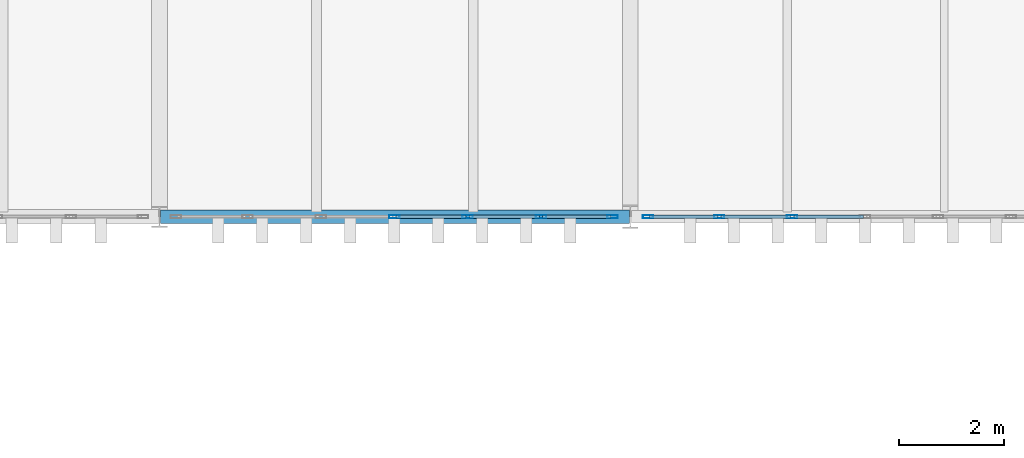
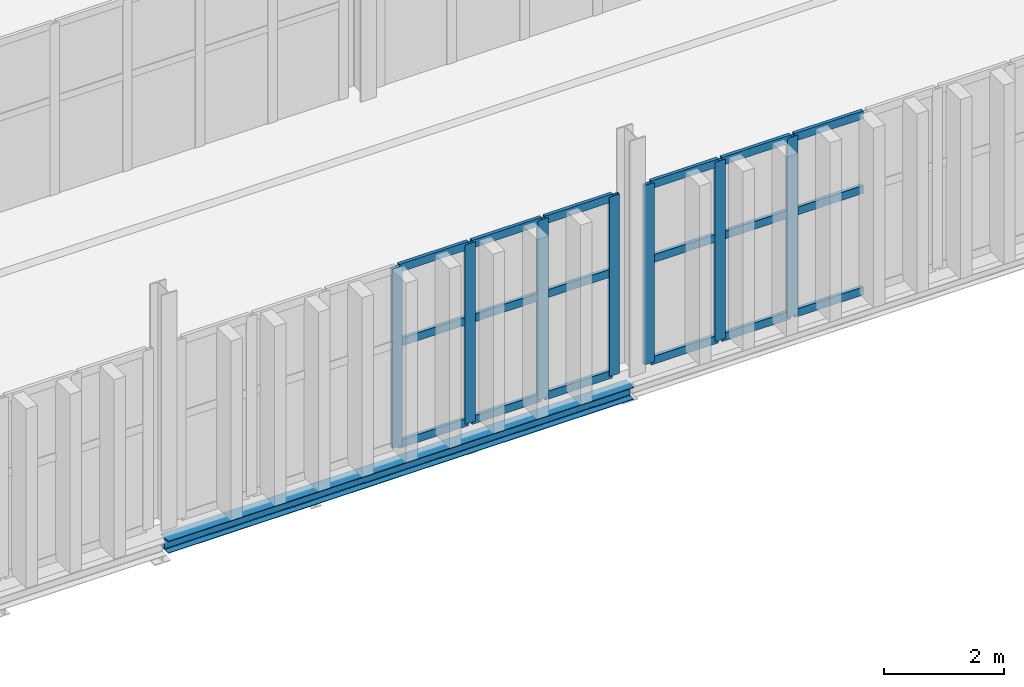
# One storey, part 29 of 196: 25 members, 1 beam, 2 elements without a shape of their own.
"""IFC4 building model written with IfcOpenShell, lengths in metres."""

from ifc_helpers import new_model, si_unit, direction, frame, origin, origin_2d, place, context, subcontext, project, spatial, hollow_rectangle, i_section, extrude, material, layer, layer_set, material_profile, profile_set, type_object, element, aggregate, save


model = new_model("IFC4")

# Units and contexts
model_context = context("Model", 3, precision=1e-05, world=origin(), true_north=direction((0.0, 1.0)))
body_context = subcontext(model_context, "Body", "Model", "MODEL_VIEW")
ifc_project = project(units=[si_unit("LENGTHUNIT", "METRE"), si_unit("AREAUNIT", "SQUARE_METRE"), si_unit("VOLUMEUNIT", "CUBIC_METRE"), si_unit("PLANEANGLEUNIT", "RADIAN"), si_unit("MASSUNIT", "GRAM", prefix="KILO")], contexts=[model_context])

# Site, building, storey
site_placement = place(None, origin())
site = spatial("IfcSite", under=ifc_project, at=site_placement, CompositionType="ELEMENT")
building_placement = place(site_placement, origin())
building = spatial("IfcBuilding", under=site, at=building_placement, Name="Barlavento Convention Centre", CompositionType="ELEMENT")
storey_placement = place(building_placement, frame((0.0, 0.0, 18.0)))
storey = spatial("IfcBuildingStorey", under=building, at=storey_placement, Name="L03", CompositionType="ELEMENT", Elevation=18.0)

# Curtain wall, members
ifc_material_1 = material(Name="Powder-coated aluminium and Low-E glass", Category="aluminium")
ifc_layer = layer(ifc_material_1, 0.179931640625)
ifc_layer_set = layer_set([ifc_layer], Name="ARC-CW-CONF-L03")
curtain_wall_type = type_object("IfcCurtainWallType", Name="ARC-CW-CONF-L03", PredefinedType="NOTDEFINED", material=ifc_layer_set)
curtain_wall_1_placement = place(storey_placement, origin())
curtain_wall_1 = element("IfcCurtainWall", 1, at=curtain_wall_1_placement, inside=storey, type_object=curtain_wall_type, Name="L03 unitised curtain wall CW08", PredefinedType="NOTDEFINED")
ifc_material_2 = material(Name="Powder-coated aluminium", Category="aluminium")
ifc_material_profile_1 = material_profile(ifc_material_2, hollow_rectangle(XDim=0.06494140625, YDim=0.199951171875, WallThickness=0.0048828125, at=origin_2d()), Name="AL-MULL 65x200x5")
ifc_profile_set_1 = profile_set([ifc_material_profile_1], Name="Powder-coated aluminium")
member_type_1 = type_object("IfcMemberType", Name="ARC-CWM-65X200", PredefinedType="MULLION", material=ifc_profile_set_1)
member_1_placement = place(storey_placement, frame((85.487548828125, 45.0, 0.0), z_axis=(0.0, 0.0, 1.0), x_axis=(0.0, 1.0, 0.0)))
member_1 = element("IfcMember", 2, at=member_1_placement, type_object=member_type_1, Name="CW08 mullion 4", PredefinedType="MULLION", context=body_context, shape_type="SweptSolid", body=[
    extrude(hollow_rectangle(XDim=0.06494140625, YDim=0.199951171875, WallThickness=0.0048828125, at=origin_2d()), origin(), (0.0, 0.0, 1.0), 3.64990234375),
])
member_2_placement = place(storey_placement, frame((86.889892578125, 45.0, 0.0), z_axis=(0.0, 0.0, 1.0), x_axis=(0.0, 1.0, 0.0)))
member_2 = element("IfcMember", 3, at=member_2_placement, type_object=member_type_1, Name="CW08 mullion 5", PredefinedType="MULLION", context=body_context, shape_type="SweptSolid", body=[
    extrude(hollow_rectangle(XDim=0.06494140625, YDim=0.199951171875, WallThickness=0.0048828125, at=origin_2d()), origin(), (0.0, 0.0, 1.0), 3.64990234375),
])
member_3_placement = place(storey_placement, frame((88.29248046875, 45.0, 0.0), z_axis=(0.0, 0.0, 1.0), x_axis=(0.0, 1.0, 0.0)))
member_3 = element("IfcMember", 4, at=member_3_placement, type_object=member_type_1, Name="CW08 mullion 6", PredefinedType="MULLION", context=body_context, shape_type="SweptSolid", body=[
    extrude(hollow_rectangle(XDim=0.06494140625, YDim=0.199951171875, WallThickness=0.0048828125, at=origin_2d()), origin(), (0.0, 0.0, 1.0), 3.64990234375),
])
member_4_placement = place(storey_placement, frame((89.66259765625, 45.0, 0.0), z_axis=(0.0, 0.0, 1.0), x_axis=(0.0, 1.0, 0.0)))
member_4 = element("IfcMember", 5, at=member_4_placement, type_object=member_type_1, Name="CW08 mullion 7", PredefinedType="MULLION", context=body_context, shape_type="SweptSolid", body=[
    extrude(hollow_rectangle(XDim=0.06494140625, YDim=0.199951171875, WallThickness=0.0048828125, at=origin_2d()), origin(), (0.0, 0.0, 1.0), 3.64990234375),
])

curtain_wall_2_placement = place(storey_placement, origin())
curtain_wall_2 = element("IfcCurtainWall", 6, at=curtain_wall_2_placement, inside=storey, type_object=curtain_wall_type, Name="L03 unitised curtain wall CW08", PredefinedType="NOTDEFINED")
member_5_placement = place(storey_placement, frame((90.33740234375, 45.0, 0.0), z_axis=(0.0, 0.0, 1.0), x_axis=(0.0, 1.0, 0.0)))
member_5 = element("IfcMember", 7, at=member_5_placement, type_object=member_type_1, Name="CW08 mullion 1", PredefinedType="MULLION", context=body_context, shape_type="SweptSolid", body=[
    extrude(hollow_rectangle(XDim=0.06494140625, YDim=0.199951171875, WallThickness=0.0048828125, at=origin_2d()), origin(), (0.0, 0.0, 1.0), 3.64990234375),
])
member_6_placement = place(storey_placement, frame((91.69921875, 45.0, 0.0), z_axis=(0.0, 0.0, 1.0), x_axis=(0.0, 1.0, 0.0)))
member_6 = element("IfcMember", 8, at=member_6_placement, type_object=member_type_1, Name="CW08 mullion 2", PredefinedType="MULLION", context=body_context, shape_type="SweptSolid", body=[
    extrude(hollow_rectangle(XDim=0.06494140625, YDim=0.199951171875, WallThickness=0.0048828125, at=origin_2d()), origin(), (0.0, 0.0, 1.0), 3.64990234375),
])
member_7_placement = place(storey_placement, frame((93.09326171875, 45.0, 0.0), z_axis=(0.0, 0.0, 1.0), x_axis=(0.0, 1.0, 0.0)))
member_7 = element("IfcMember", 9, at=member_7_placement, type_object=member_type_1, Name="CW08 mullion 3", PredefinedType="MULLION", context=body_context, shape_type="SweptSolid", body=[
    extrude(hollow_rectangle(XDim=0.06494140625, YDim=0.199951171875, WallThickness=0.0048828125, at=origin_2d()), origin(), (0.0, 0.0, 1.0), 3.64990234375),
])

# Member
ifc_material_profile_2 = material_profile(ifc_material_2, hollow_rectangle(XDim=0.06494140625, YDim=0.159912109375, WallThickness=0.0048828125, at=origin_2d()), Name="AL-TRAN 65x160x5")
ifc_profile_set_2 = profile_set([ifc_material_profile_2], Name="Powder-coated aluminium")
member_type_2 = type_object("IfcMemberType", Name="ARC-CWT-65X160", PredefinedType="USERDEFINED", material=ifc_profile_set_2)
member_8_placement = place(storey_placement, frame((85.52001953125, 45.0, 0.032470703125), z_axis=(1.0, 0.0, 0.0), x_axis=(0.0, 1.0, 0.0)))
member_8 = element("IfcMember", 10, at=member_8_placement, type_object=member_type_2, Name="CW08 transom 4.1", ObjectType="TRANSOM", PredefinedType="USERDEFINED", context=body_context, shape_type="SweptSolid", body=[
    extrude(hollow_rectangle(XDim=0.06494140625, YDim=0.159912109375, WallThickness=0.0048828125, at=origin_2d()), origin(), (0.0, 0.0, 1.0), 1.33740234375),
])

member_9_placement = place(storey_placement, frame((85.52001953125, 45.0, 2.10009765625), z_axis=(1.0, 0.0, 0.0), x_axis=(0.0, 1.0, 0.0)))
member_9 = element("IfcMember", 11, at=member_9_placement, type_object=member_type_2, Name="CW08 transom 4.2", ObjectType="TRANSOM", PredefinedType="USERDEFINED", context=body_context, shape_type="SweptSolid", body=[
    extrude(hollow_rectangle(XDim=0.06494140625, YDim=0.159912109375, WallThickness=0.0048828125, at=origin_2d()), origin(), (0.0, 0.0, 1.0), 1.33740234375),
])

member_10_placement = place(storey_placement, frame((85.52001953125, 45.0, 3.617431640625), z_axis=(1.0, 0.0, 0.0), x_axis=(0.0, 1.0, 0.0)))
member_10 = element("IfcMember", 12, at=member_10_placement, type_object=member_type_2, Name="CW08 transom 4.3", ObjectType="TRANSOM", PredefinedType="USERDEFINED", context=body_context, shape_type="SweptSolid", body=[
    extrude(hollow_rectangle(XDim=0.06494140625, YDim=0.159912109375, WallThickness=0.0048828125, at=origin_2d()), origin(), (0.0, 0.0, 1.0), 1.33740234375),
])

member_11_placement = place(storey_placement, frame((86.922607421875, 45.0, 0.032470703125), z_axis=(1.0, 0.0, 0.0), x_axis=(0.0, 1.0, 0.0)))
member_11 = element("IfcMember", 13, at=member_11_placement, type_object=member_type_2, Name="CW08 transom 5.1", ObjectType="TRANSOM", PredefinedType="USERDEFINED", context=body_context, shape_type="SweptSolid", body=[
    extrude(hollow_rectangle(XDim=0.06494140625, YDim=0.159912109375, WallThickness=0.0048828125, at=origin_2d()), origin(), (0.0, 0.0, 1.0), 1.33740234375),
])

member_12_placement = place(storey_placement, frame((86.922607421875, 45.0, 2.10009765625), z_axis=(1.0, 0.0, 0.0), x_axis=(0.0, 1.0, 0.0)))
member_12 = element("IfcMember", 14, at=member_12_placement, type_object=member_type_2, Name="CW08 transom 5.2", ObjectType="TRANSOM", PredefinedType="USERDEFINED", context=body_context, shape_type="SweptSolid", body=[
    extrude(hollow_rectangle(XDim=0.06494140625, YDim=0.159912109375, WallThickness=0.0048828125, at=origin_2d()), origin(), (0.0, 0.0, 1.0), 1.33740234375),
])

member_13_placement = place(storey_placement, frame((86.922607421875, 45.0, 3.617431640625), z_axis=(1.0, 0.0, 0.0), x_axis=(0.0, 1.0, 0.0)))
member_13 = element("IfcMember", 15, at=member_13_placement, type_object=member_type_2, Name="CW08 transom 5.3", ObjectType="TRANSOM", PredefinedType="USERDEFINED", context=body_context, shape_type="SweptSolid", body=[
    extrude(hollow_rectangle(XDim=0.06494140625, YDim=0.159912109375, WallThickness=0.0048828125, at=origin_2d()), origin(), (0.0, 0.0, 1.0), 1.33740234375),
])

member_14_placement = place(storey_placement, frame((88.324951171875, 45.0, 0.032470703125), z_axis=(1.0, 0.0, 0.0), x_axis=(0.0, 1.0, 0.0)))
member_14 = element("IfcMember", 16, at=member_14_placement, type_object=member_type_2, Name="CW08 transom 6.1", ObjectType="TRANSOM", PredefinedType="USERDEFINED", context=body_context, shape_type="SweptSolid", body=[
    extrude(hollow_rectangle(XDim=0.06494140625, YDim=0.159912109375, WallThickness=0.0048828125, at=origin_2d()), origin(), (0.0, 0.0, 1.0), 1.304931640625),
])

member_15_placement = place(storey_placement, frame((88.324951171875, 45.0, 2.10009765625), z_axis=(1.0, 0.0, 0.0), x_axis=(0.0, 1.0, 0.0)))
member_15 = element("IfcMember", 17, at=member_15_placement, type_object=member_type_2, Name="CW08 transom 6.2", ObjectType="TRANSOM", PredefinedType="USERDEFINED", context=body_context, shape_type="SweptSolid", body=[
    extrude(hollow_rectangle(XDim=0.06494140625, YDim=0.159912109375, WallThickness=0.0048828125, at=origin_2d()), origin(), (0.0, 0.0, 1.0), 1.304931640625),
])

member_16_placement = place(storey_placement, frame((88.324951171875, 45.0, 3.617431640625), z_axis=(1.0, 0.0, 0.0), x_axis=(0.0, 1.0, 0.0)))
member_16 = element("IfcMember", 18, at=member_16_placement, type_object=member_type_2, Name="CW08 transom 6.3", ObjectType="TRANSOM", PredefinedType="USERDEFINED", context=body_context, shape_type="SweptSolid", body=[
    extrude(hollow_rectangle(XDim=0.06494140625, YDim=0.159912109375, WallThickness=0.0048828125, at=origin_2d()), origin(), (0.0, 0.0, 1.0), 1.304931640625),
])

aggregate(curtain_wall_1, [member_1, member_2, member_3, member_4, member_8, member_9, member_10, member_11, member_12, member_13, member_14, member_15, member_16])

member_17_placement = place(storey_placement, frame((90.3701171875, 45.0, 0.032470703125), z_axis=(1.0, 0.0, 0.0), x_axis=(0.0, 1.0, 0.0)))
member_17 = element("IfcMember", 19, at=member_17_placement, type_object=member_type_2, Name="CW08 transom 1.1", ObjectType="TRANSOM", PredefinedType="USERDEFINED", context=body_context, shape_type="SweptSolid", body=[
    extrude(hollow_rectangle(XDim=0.06494140625, YDim=0.159912109375, WallThickness=0.0048828125, at=origin_2d()), origin(), (0.0, 0.0, 1.0), 1.296630859375),
])

member_18_placement = place(storey_placement, frame((90.3701171875, 45.0, 2.10009765625), z_axis=(1.0, 0.0, 0.0), x_axis=(0.0, 1.0, 0.0)))
member_18 = element("IfcMember", 20, at=member_18_placement, type_object=member_type_2, Name="CW08 transom 1.2", ObjectType="TRANSOM", PredefinedType="USERDEFINED", context=body_context, shape_type="SweptSolid", body=[
    extrude(hollow_rectangle(XDim=0.06494140625, YDim=0.159912109375, WallThickness=0.0048828125, at=origin_2d()), origin(), (0.0, 0.0, 1.0), 1.296630859375),
])

member_19_placement = place(storey_placement, frame((90.3701171875, 45.0, 3.617431640625), z_axis=(1.0, 0.0, 0.0), x_axis=(0.0, 1.0, 0.0)))
member_19 = element("IfcMember", 21, at=member_19_placement, type_object=member_type_2, Name="CW08 transom 1.3", ObjectType="TRANSOM", PredefinedType="USERDEFINED", context=body_context, shape_type="SweptSolid", body=[
    extrude(hollow_rectangle(XDim=0.06494140625, YDim=0.159912109375, WallThickness=0.0048828125, at=origin_2d()), origin(), (0.0, 0.0, 1.0), 1.296630859375),
])

member_20_placement = place(storey_placement, frame((91.731689453125, 45.0, 0.032470703125), z_axis=(1.0, 0.0, 0.0), x_axis=(0.0, 1.0, 0.0)))
member_20 = element("IfcMember", 22, at=member_20_placement, type_object=member_type_2, Name="CW08 transom 2.1", ObjectType="TRANSOM", PredefinedType="USERDEFINED", context=body_context, shape_type="SweptSolid", body=[
    extrude(hollow_rectangle(XDim=0.06494140625, YDim=0.159912109375, WallThickness=0.0048828125, at=origin_2d()), origin(), (0.0, 0.0, 1.0), 1.3291015625),
])

member_21_placement = place(storey_placement, frame((91.731689453125, 45.0, 2.10009765625), z_axis=(1.0, 0.0, 0.0), x_axis=(0.0, 1.0, 0.0)))
member_21 = element("IfcMember", 23, at=member_21_placement, type_object=member_type_2, Name="CW08 transom 2.2", ObjectType="TRANSOM", PredefinedType="USERDEFINED", context=body_context, shape_type="SweptSolid", body=[
    extrude(hollow_rectangle(XDim=0.06494140625, YDim=0.159912109375, WallThickness=0.0048828125, at=origin_2d()), origin(), (0.0, 0.0, 1.0), 1.3291015625),
])

member_22_placement = place(storey_placement, frame((91.731689453125, 45.0, 3.617431640625), z_axis=(1.0, 0.0, 0.0), x_axis=(0.0, 1.0, 0.0)))
member_22 = element("IfcMember", 24, at=member_22_placement, type_object=member_type_2, Name="CW08 transom 2.3", ObjectType="TRANSOM", PredefinedType="USERDEFINED", context=body_context, shape_type="SweptSolid", body=[
    extrude(hollow_rectangle(XDim=0.06494140625, YDim=0.159912109375, WallThickness=0.0048828125, at=origin_2d()), origin(), (0.0, 0.0, 1.0), 1.3291015625),
])

member_23_placement = place(storey_placement, frame((93.125732421875, 45.0, 0.032470703125), z_axis=(1.0, 0.0, 0.0), x_axis=(0.0, 1.0, 0.0)))
member_23 = element("IfcMember", 25, at=member_23_placement, type_object=member_type_2, Name="CW08 transom 3.1", ObjectType="TRANSOM", PredefinedType="USERDEFINED", context=body_context, shape_type="SweptSolid", body=[
    extrude(hollow_rectangle(XDim=0.06494140625, YDim=0.159912109375, WallThickness=0.0048828125, at=origin_2d()), origin(), (0.0, 0.0, 1.0), 1.329345703125),
])

member_24_placement = place(storey_placement, frame((93.125732421875, 45.0, 2.10009765625), z_axis=(1.0, 0.0, 0.0), x_axis=(0.0, 1.0, 0.0)))
member_24 = element("IfcMember", 26, at=member_24_placement, type_object=member_type_2, Name="CW08 transom 3.2", ObjectType="TRANSOM", PredefinedType="USERDEFINED", context=body_context, shape_type="SweptSolid", body=[
    extrude(hollow_rectangle(XDim=0.06494140625, YDim=0.159912109375, WallThickness=0.0048828125, at=origin_2d()), origin(), (0.0, 0.0, 1.0), 1.329345703125),
])

member_25_placement = place(storey_placement, frame((93.125732421875, 45.0, 3.617431640625), z_axis=(1.0, 0.0, 0.0), x_axis=(0.0, 1.0, 0.0)))
member_25 = element("IfcMember", 27, at=member_25_placement, type_object=member_type_2, Name="CW08 transom 3.3", ObjectType="TRANSOM", PredefinedType="USERDEFINED", context=body_context, shape_type="SweptSolid", body=[
    extrude(hollow_rectangle(XDim=0.06494140625, YDim=0.159912109375, WallThickness=0.0048828125, at=origin_2d()), origin(), (0.0, 0.0, 1.0), 1.329345703125),
])

aggregate(curtain_wall_2, [member_5, member_6, member_7, member_17, member_18, member_19, member_20, member_21, member_22, member_23, member_24, member_25])

# Beam
ifc_material_3 = material(Name="Steel S355", Category="steel")
ifc_material_profile_3 = material_profile(ifc_material_3, i_section(OverallWidth=0.260009765625, OverallDepth=0.25, WebThickness=0.007568359375, FlangeThickness=0.012451171875, FilletRadius=0.02392578125, at=origin_2d()), Name="HEA 260")
ifc_profile_set_3 = profile_set([ifc_material_profile_3], Name="Steel S355")
beam_type = type_object("IfcBeamType", Name="STR-BM-SPN-HEA260", PredefinedType="SPANDREL", material=ifc_profile_set_3)
beam_placement = place(storey_placement, frame((81.02001953125, 45.0, -0.425048828125), z_axis=(1.0, 0.0, 0.0), x_axis=(0.0, 1.0, 0.0)))
element("IfcBeam", 28, at=beam_placement, inside=storey, type_object=beam_type, Name="L03 primary girder SP04", PredefinedType="SPANDREL", context=body_context, shape_type="SweptSolid", body=[
    extrude(i_section(OverallWidth=0.260009765625, OverallDepth=0.25, WebThickness=0.007568359375, FlangeThickness=0.012451171875, FilletRadius=0.02392578125, at=origin_2d()), origin(), (0.0, 0.0, 1.0), 8.9599609375),
])

save(model, "model.ifc")
